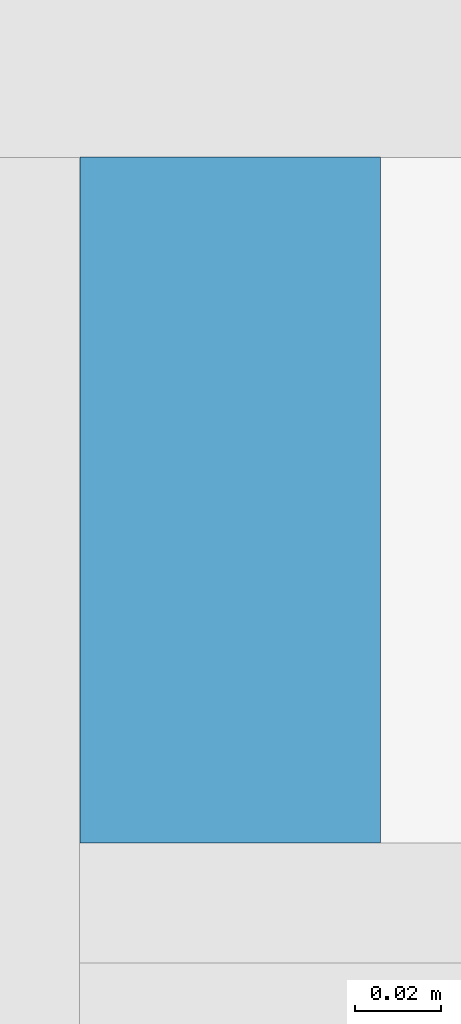
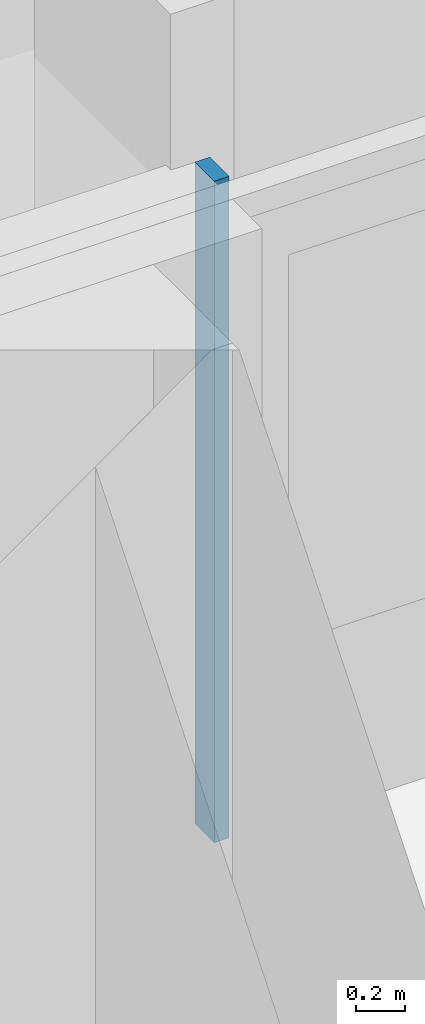
# One storey, part 10 of 29: 1 member, 1 element without a shape of its own.
"""IFC4 building model written with IfcOpenShell, lengths in metres."""

from ifc_helpers import new_model, si_unit, direction, frame, origin, origin_2d, place, context, subcontext, project, spatial, rectangle, extrude, material, material_profile, profile_set, type_object, element, aggregate, save


model = new_model("IFC4")

# Units and contexts
model_context = context("Model", 3, precision=1e-05, world=origin(), true_north=direction((0.0, 1.0)))
body_context = subcontext(model_context, "Body", "Model", "MODEL_VIEW")
ifc_project = project(units=[si_unit("LENGTHUNIT", "METRE"), si_unit("AREAUNIT", "SQUARE_METRE"), si_unit("VOLUMEUNIT", "CUBIC_METRE"), si_unit("PLANEANGLEUNIT", "RADIAN"), si_unit("MASSUNIT", "GRAM", prefix="KILO")], contexts=[model_context])

# Site, building, storey
site_placement = place(None, origin())
site = spatial("IfcSite", under=ifc_project, at=site_placement, CompositionType="ELEMENT")
building_placement = place(site_placement, origin())
building = spatial("IfcBuilding", under=site, at=building_placement, Name="Saffron Gate Tower", CompositionType="ELEMENT")
storey_placement = place(building_placement, frame((0.0, 0.0, 227.10009765625)))
storey = spatial("IfcBuildingStorey", under=building, at=storey_placement, Name="L55", CompositionType="ELEMENT", Elevation=227.10009765625)

# Curtain wall, member
ifc_material = material(Name="Aluminium, bronze anodised", Category="aluminium")
curtain_wall_type = type_object("IfcCurtainWallType", Name="CWS3 curtain wall rear facade", PredefinedType="NOTDEFINED", material=ifc_material)
curtain_wall_placement = place(storey_placement, origin())
curtain_wall = element("IfcCurtainWall", 1, at=curtain_wall_placement, inside=storey, type_object=curtain_wall_type, Name="CWS3 run 7", PredefinedType="NOTDEFINED")
ifc_material_profile = material_profile(ifc_material, rectangle(XDim=0.159912109375, YDim=0.070068359375, at=origin_2d()))
ifc_profile_set = profile_set([ifc_material_profile], Name="Aluminium, bronze anodised")
member_type = type_object("IfcMemberType", Name="CWS3 mullion 70x160", PredefinedType="MULLION", material=ifc_profile_set)
member_placement = place(storey_placement, frame((108.60009765625, 75.52001953125, 0.0), z_axis=(0.0, 0.0, 1.0), x_axis=(0.0, -1.0, 0.0)))
member = element("IfcMember", 2, at=member_placement, type_object=member_type, Name="CWS3 mullion 3", PredefinedType="MULLION", context=body_context, shape_type="SweptSolid", body=[
    extrude(rectangle(XDim=0.159912109375, YDim=0.070068359375, at=origin_2d()), origin(), (0.0, 0.0, 1.0), 3.31982421875),
])
aggregate(curtain_wall, [member])

save(model, "model.ifc")
